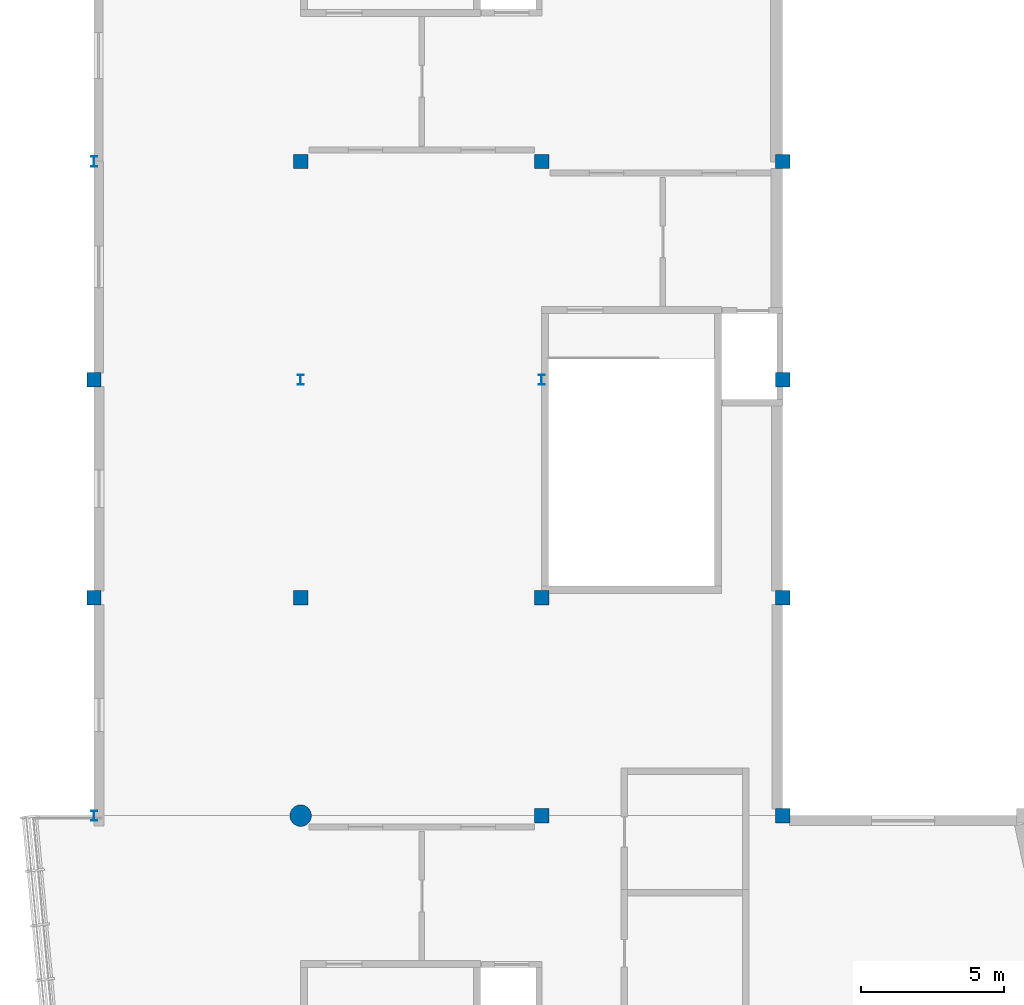
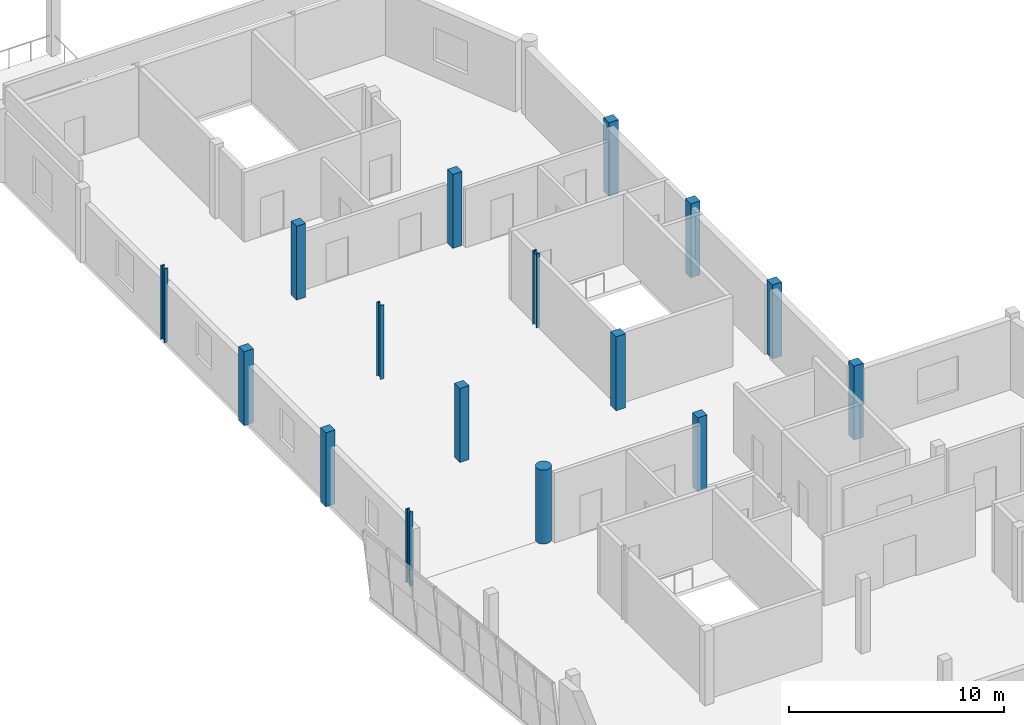
# One storey, part 4 of 17: 16 columns.
"""IFC4 building model written with IfcOpenShell, lengths in metres."""

from ifc_helpers import new_model, si_unit, direction, frame, origin, origin_2d, place, context, subcontext, project, spatial, rectangle, circle, i_section, extrude, material, material_profile, profile_set, type_object, element, save


model = new_model("IFC4")

# Units and contexts
model_context = context("Model", 3, precision=1e-05, world=origin(), true_north=direction((0.0, 1.0)))
body_context = subcontext(model_context, "Body", "Model", "MODEL_VIEW")
ifc_project = project(units=[si_unit("LENGTHUNIT", "METRE"), si_unit("AREAUNIT", "SQUARE_METRE"), si_unit("VOLUMEUNIT", "CUBIC_METRE"), si_unit("PLANEANGLEUNIT", "RADIAN"), si_unit("MASSUNIT", "GRAM", prefix="KILO")], contexts=[model_context])

# Site, building, storey
site_placement = place(None, origin())
site = spatial("IfcSite", under=ifc_project, at=site_placement, CompositionType="ELEMENT")
building_placement = place(site_placement, origin())
building = spatial("IfcBuilding", under=site, at=building_placement, Name="Xicomal Pleat Aquarium", CompositionType="ELEMENT")
storey_placement = place(building_placement, frame((0.0, 0.0, 19.800048828125)))
storey = spatial("IfcBuildingStorey", under=building, at=storey_placement, Name="L05", CompositionType="ELEMENT", Elevation=19.800048828125)

# Columns
ifc_material_1 = material(Name="Concrete C35/45", Category="concrete")
ifc_material_profile_1 = material_profile(ifc_material_1, rectangle(XDim=0.5, YDim=0.5, at=origin_2d()), Name="RC 500x500")
ifc_profile_set_1 = profile_set([ifc_material_profile_1], Name="Concrete C35/45")
column_type_1 = type_object("IfcColumnType", Name="COL-RC-500x500", PredefinedType="COLUMN", material=ifc_profile_set_1)
for number, where, z_axis, x_axis, name in (
    (1, (3.0, 45.60009765625, 0.0), (0.0, 0.0, 1.0), (1.0, 0.0, 0.0), "L05 column 01/G"),
    (2, (3.0, 53.199951171875, 0.0), (0.0, 0.0, 1.0), (1.0, 0.0, 0.0), "L05 column 01/H"),
    (3, (10.199951171875, 45.60009765625, 0.0), (0.0, 0.0, 1.0), (1.0, 0.0, 0.0), "L05 column 02/G"),
    (4, (10.199951171875, 60.800048828125, 0.0), (0.0, 0.0, 1.0), (1.0, 0.0, 0.0), "L05 column 02/J"),
    (5, (18.60009765625, 38.0, 0.0), (0.0, 0.0, 1.0), (1.0, 0.0, 0.0), "L05 column 03/F"),
    (6, (18.60009765625, 45.60009765625, 0.0), (0.0, 0.0, 1.0), (1.0, 0.0, 0.0), "L05 column 03/G"),
    (7, (18.60009765625, 60.800048828125, 0.0), (0.0, 0.0, 1.0), (1.0, 0.0, 0.0), "L05 column 03/J"),
    (8, (27.0, 38.0, 0.0), (0.0, 0.0, 1.0), (1.0, 0.0, 0.0), "L05 column 04/F"),
    (9, (27.0, 45.60009765625, 0.0), (0.0, 0.0, 1.0), (1.0, 0.0, 0.0), "L05 column 04/G"),
    (10, (27.0, 53.199951171875, 0.0), (0.0, 0.0, 1.0), (1.0, 0.0, 0.0), "L05 column 04/H"),
    (11, (27.0, 60.800048828125, 0.0), (0.0, 0.0, 1.0), (1.0, 0.0, 0.0), "L05 column 04/J"),
):
    element("IfcColumn", number, at=place(storey_placement, frame(where, z_axis=z_axis, x_axis=x_axis)), inside=storey, type_object=column_type_1, Name=name, PredefinedType="COLUMN", context=body_context, shape_type="SweptSolid", body=[
        extrude(rectangle(XDim=0.5, YDim=0.5, at=origin_2d()), origin(), (0.0, 0.0, 1.0), 4.199951171875),
    ])
ifc_material_2 = material(Name="Concrete C40/50", Category="concrete")
ifc_material_profile_2 = material_profile(ifc_material_2, circle(Radius=0.375, at=origin_2d()), Name="RCC D750")
ifc_profile_set_2 = profile_set([ifc_material_profile_2], Name="Concrete C40/50")
column_type_2 = type_object("IfcColumnType", Name="COL-RCC-D750", PredefinedType="COLUMN", material=ifc_profile_set_2)
column_placement = place(storey_placement, frame((10.199951171875, 38.0, 0.0), z_axis=(0.0, 0.0, 1.0), x_axis=(1.0, 0.0, 0.0)))
element("IfcColumn", 12, at=column_placement, inside=storey, type_object=column_type_2, Name="L05 column 02/F", PredefinedType="COLUMN", context=body_context, shape_type="SweptSolid", body=[
    extrude(circle(Radius=0.375, at=origin_2d()), origin(), (0.0, 0.0, 1.0), 4.199951171875),
])
ifc_material_3 = material(Name="Structural steel A992 Gr 50", Category="steel")
ifc_material_profile_3 = material_profile(ifc_material_3, i_section(OverallWidth=0.205078125, OverallDepth=0.35400390625, WebThickness=0.009521484375, FlangeThickness=0.016845703125, at=origin_2d()), Name="IR 360x79")
ifc_profile_set_3 = profile_set([ifc_material_profile_3], Name="Structural steel A992 Gr 50")
column_type_3 = type_object("IfcColumnType", Name="COL-STL-IR360", PredefinedType="COLUMN", material=ifc_profile_set_3)
for number, where, z_axis, x_axis, name in (
    (13, (3.0, 38.0, 0.0), (0.0, 0.0, 1.0), (1.0, 0.0, 0.0), "L05 column 01/F"),
    (14, (3.0, 60.800048828125, 0.0), (0.0, 0.0, 1.0), (1.0, 0.0, 0.0), "L05 column 01/J"),
    (15, (10.199951171875, 53.199951171875, 0.0), (0.0, 0.0, 1.0), (1.0, 0.0, 0.0), "L05 column 02/H"),
    (16, (18.60009765625, 53.199951171875, 0.0), (0.0, 0.0, 1.0), (1.0, 0.0, 0.0), "L05 column 03/H"),
):
    element("IfcColumn", number, at=place(storey_placement, frame(where, z_axis=z_axis, x_axis=x_axis)), inside=storey, type_object=column_type_3, Name=name, PredefinedType="COLUMN", context=body_context, shape_type="SweptSolid", body=[
        extrude(i_section(OverallWidth=0.205078125, OverallDepth=0.35400390625, WebThickness=0.009521484375, FlangeThickness=0.016845703125, at=origin_2d()), origin(), (0.0, 0.0, 1.0), 4.199951171875),
    ])

save(model, "model.ifc")
